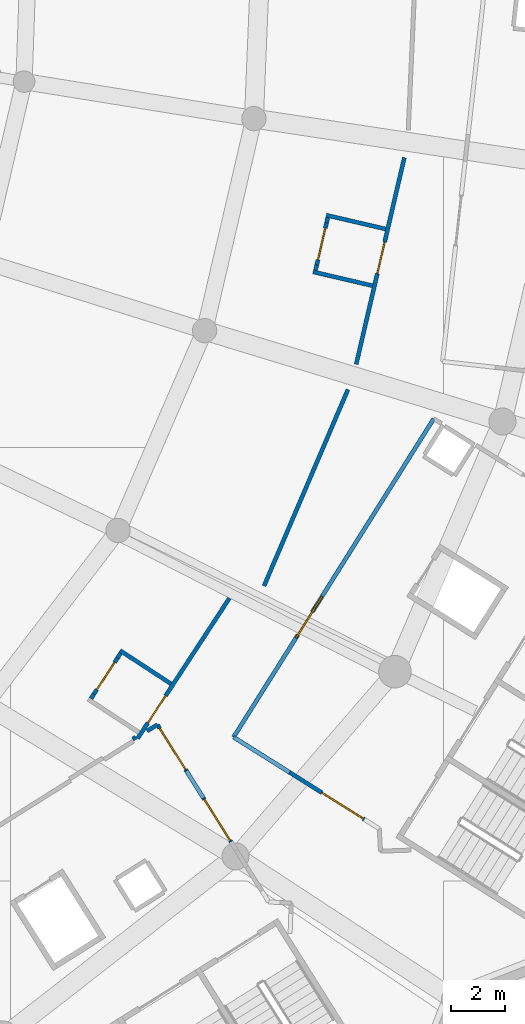
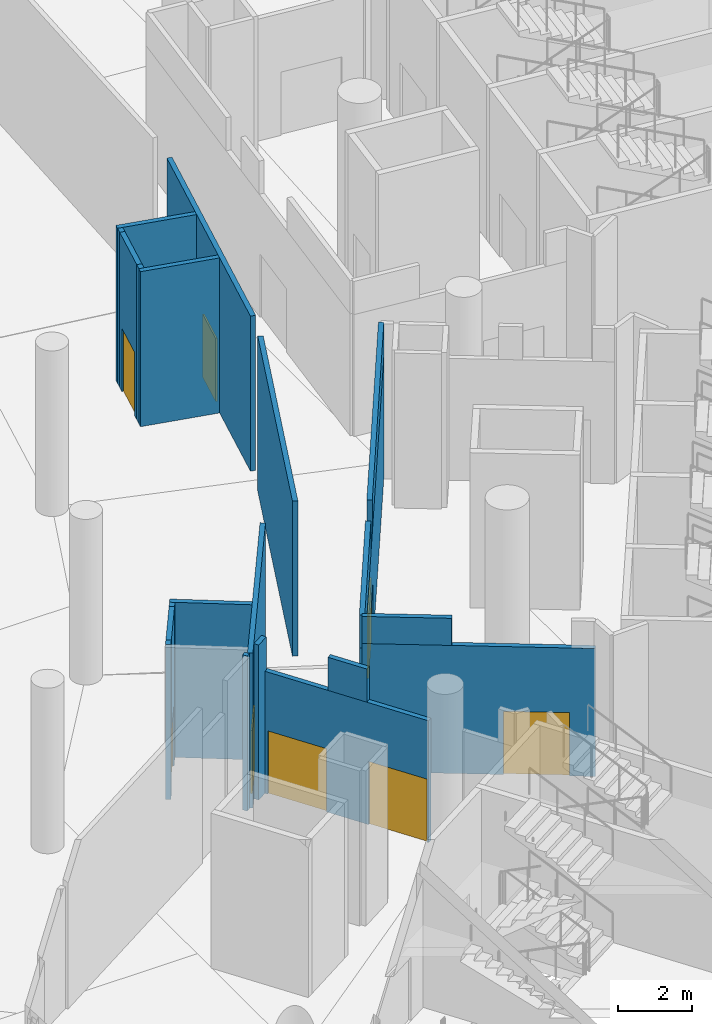
# One storey, part 174 of 271: 21 walls, 8 doors, 8 openings.
"""IFC4 building model written with IfcOpenShell, lengths in metres."""

from ifc_helpers import new_model, si_unit, direction, frame, frame_2d, origin, place, context, subcontext, project, spatial, rectangle, extrude, material, layer, layer_set, type_object, element, fill, save


model = new_model("IFC4")

# Units and contexts
model_context = context("Model", 3, precision=1e-05, world=origin(), true_north=direction((0.0, 1.0)))
body_context = subcontext(model_context, "Body", "Model", "MODEL_VIEW")
ifc_project = project(units=[si_unit("LENGTHUNIT", "METRE"), si_unit("AREAUNIT", "SQUARE_METRE"), si_unit("VOLUMEUNIT", "CUBIC_METRE"), si_unit("PLANEANGLEUNIT", "RADIAN"), si_unit("MASSUNIT", "GRAM", prefix="KILO")], contexts=[model_context])

# Site, building, storey
site_placement = place(None, origin())
site = spatial("IfcSite", under=ifc_project, at=site_placement, CompositionType="ELEMENT")
building_placement = place(site_placement, origin())
building = spatial("IfcBuilding", under=site, at=building_placement, Name="Meseta Stadium", CompositionType="ELEMENT")
storey_placement = place(building_placement, frame((0.0, 0.0, 6.5)))
storey = spatial("IfcBuildingStorey", under=building, at=storey_placement, Name="L01", CompositionType="ELEMENT", Elevation=6.5)

# Wall, opening, door
ifc_material_1 = material(Name="Masonry blockwork", Category="masonry")
ifc_layer = layer(ifc_material_1, 0.14990234375)
ifc_layer_set = layer_set([ifc_layer], Name="Partition 150")
wall_type = type_object("IfcWallType", Name="Partition 150", PredefinedType="PARTITIONING", material=ifc_layer_set)
wall_1_placement = place(storey_placement, frame((72.085205078125, -69.559326171875, 0.0), z_axis=(0.0, 0.0, 1.0), x_axis=(-0.547328054804, -0.836918156348, 0.0)))
wall_1 = element("IfcWall", 1, at=wall_1_placement, inside=storey, type_object=wall_type, Name="Partition L01 L01-cell26-0-0", PredefinedType="PARTITIONING", context=body_context, shape_type="SweptSolid", body=[
    extrude(rectangle(XDim=6.185546875, YDim=0.14990234375, at=frame_2d((3.0927734375, 0.0))), origin(), (0.0, 0.0, 1.0), 5.14990234375),
])
opening_1_placement = place(wall_1_placement, frame((4.300048828125, 0.0, 0.0)))
opening_1 = element("IfcOpeningElement", 2, at=opening_1_placement, cuts=wall_1, Name="Opening D677", PredefinedType="OPENING", context=body_context, shape_type="SweptSolid", body=[
    extrude(rectangle(XDim=1.199951171875, YDim=2.10009765625, at=frame_2d((0.60009765625, 1.050048828125))), frame((0.0, 0.0849609375, 0.0), z_axis=(0.0, -1.0, 0.0), x_axis=(1.0, 0.0, 0.0)), (0.0, 0.0, 1.0), 0.169921875),
])
ifc_material_2 = material(Name="Steel", Category="steel")
door_type_1 = type_object("IfcDoorType", Name="Fire door 1200x2100 EI2 60", OperationType="NOTDEFINED", PredefinedType="DOOR", material=ifc_material_2)
door_1_placement = place(opening_1_placement, origin())
door_1 = element("IfcDoor", 3, at=door_1_placement, inside=storey, type_object=door_type_1, Name="Door D677", OperationType="SINGLE_SWING_RIGHT", OverallHeight=2.10009765625, OverallWidth=1.199951171875, PredefinedType="DOOR", context=body_context, shape_type="SweptSolid", body=[
    extrude(rectangle(XDim=1.199951171875, YDim=2.10009765625, at=frame_2d((0.60009765625, 1.050048828125))), frame((0.0, 0.02490234375, 0.0), z_axis=(0.0, -1.0, 0.0), x_axis=(1.0, 0.0, 0.0)), (0.0, 0.0, 1.0), 0.050048828125),
])
fill(opening_1, door_1)

wall_2_placement = place(storey_placement, frame((78.54638671875, -53.287353515625, 0.0), z_axis=(0.0, 0.0, 1.0), x_axis=(-0.226958808722, -0.973904358314, 0.0)))
wall_2 = element("IfcWall", 4, at=wall_2_placement, inside=storey, type_object=wall_type, Name="Partition L01 L01-cell27-0-0", PredefinedType="PARTITIONING", context=body_context, shape_type="SweptSolid", body=[
    extrude(rectangle(XDim=7.837646484375, YDim=0.14990234375, at=frame_2d((3.9189453125, 0.0))), origin(), (0.0, 0.0, 1.0), 5.14990234375),
])
opening_2_placement = place(wall_2_placement, frame((3.199951171875, 0.0, 0.0)))
opening_2 = element("IfcOpeningElement", 5, at=opening_2_placement, cuts=wall_2, Name="Opening D678", PredefinedType="OPENING", context=body_context, shape_type="SweptSolid", body=[
    extrude(rectangle(XDim=1.199951171875, YDim=2.10009765625, at=frame_2d((0.60009765625, 1.050048828125))), frame((0.0, 0.0849609375, 0.0), z_axis=(0.0, -1.0, 0.0), x_axis=(1.0, 0.0, 0.0)), (0.0, 0.0, 1.0), 0.169921875),
])
door_2_placement = place(opening_2_placement, origin())
door_2 = element("IfcDoor", 6, at=door_2_placement, inside=storey, type_object=door_type_1, Name="Door D678", OperationType="SINGLE_SWING_LEFT", OverallHeight=2.10009765625, OverallWidth=1.199951171875, PredefinedType="DOOR", context=body_context, shape_type="SweptSolid", body=[
    extrude(rectangle(XDim=1.199951171875, YDim=2.10009765625, at=frame_2d((0.60009765625, 1.050048828125))), frame((0.0, 0.02490234375, 0.0), z_axis=(0.0, -1.0, 0.0), x_axis=(1.0, 0.0, 0.0)), (0.0, 0.0, 1.0), 0.050048828125),
])
fill(opening_2, door_2)

# Walls
wall_3_placement = place(storey_placement, frame((76.462890625, -61.850830078125, 0.0), z_axis=(0.0, 0.0, 1.0), x_axis=(-0.39271238508, -0.919661341258, 0.0)))
element("IfcWall", 7, at=wall_3_placement, inside=storey, type_object=wall_type, Name="Partition L01 L01-cell27-0-0", PredefinedType="PARTITIONING", context=body_context, shape_type="SweptSolid", body=[
    extrude(rectangle(XDim=7.887939453125, YDim=0.14990234375, at=frame_2d((3.94384765625, 0.0))), origin(), (0.0, 0.0, 1.0), 5.14990234375),
])
wall_4_placement = place(storey_placement, frame((68.632568359375, -74.689697265625, 0.0), z_axis=(0.0, 0.0, 1.0), x_axis=(-0.846796817222, -0.531916488129, 0.0)))
element("IfcWall", 8, at=wall_4_placement, inside=storey, type_object=wall_type, Name="Stair vestibule wall L01 core 27", PredefinedType="PARTITIONING", context=body_context, shape_type="SweptSolid", body=[
    extrude(rectangle(XDim=0.13720703125, YDim=0.14990234375, at=frame_2d((0.068603515625, 0.0))), origin(), (0.0, 0.0, 1.0), 5.14990234375),
])

# Wall, openings, doors
wall_5_placement = place(storey_placement, frame((72.142822265625, -78.55224609375, 0.0), z_axis=(0.0, 0.0, 1.0), x_axis=(-0.532063867314, 0.846704222913, 0.0)))
wall_5 = element("IfcWall", 9, at=wall_5_placement, inside=storey, type_object=wall_type, Name="Stair vestibule wall L01 core 27", PredefinedType="PARTITIONING", context=body_context, shape_type="SweptSolid", body=[
    extrude(rectangle(XDim=5.10791015625, YDim=0.14990234375, at=frame_2d((2.553955078125, 0.0))), origin(), (0.0, 0.0, 1.0), 4.050048828125),
])
opening_3_placement = place(wall_5_placement, frame((3.14990234375, 0.0, 0.0)))
opening_3 = element("IfcOpeningElement", 10, at=opening_3_placement, cuts=wall_5, Name="Opening D809", PredefinedType="OPENING", context=body_context, shape_type="SweptSolid", body=[
    extrude(rectangle(XDim=1.800048828125, YDim=2.10009765625, at=frame_2d((0.89990234375, 1.050048828125))), frame((0.0, 0.0849609375, 0.0), z_axis=(0.0, -1.0, 0.0), x_axis=(1.0, 0.0, 0.0)), (0.0, 0.0, 1.0), 0.169921875),
])
opening_4_placement = place(wall_5_placement, frame((0.050048828125, 0.0, 0.0)))
opening_4 = element("IfcOpeningElement", 11, at=opening_4_placement, cuts=wall_5, Name="Opening D810", PredefinedType="OPENING", context=body_context, shape_type="SweptSolid", body=[
    extrude(rectangle(XDim=1.800048828125, YDim=2.10009765625, at=frame_2d((0.89990234375, 1.050048828125))), frame((0.0, 0.0849609375, 0.0), z_axis=(0.0, -1.0, 0.0), x_axis=(1.0, 0.0, 0.0)), (0.0, 0.0, 1.0), 0.169921875),
])
ifc_material_3 = material(Name="Steel", Category="steel")
door_type_2 = type_object("IfcDoorType", Name="Fire double door 1800x2100 EI2 60", OperationType="DOUBLE_DOOR_SINGLE_SWING", PredefinedType="DOOR", material=ifc_material_3)
door_3_placement = place(opening_3_placement, origin())
door_3 = element("IfcDoor", 12, at=door_3_placement, inside=storey, type_object=door_type_2, Name="Stair vestibule door L01 core 27", OperationType="DOUBLE_DOOR_SINGLE_SWING", OverallHeight=2.10009765625, OverallWidth=1.800048828125, PredefinedType="DOOR", context=body_context, shape_type="SweptSolid", body=[
    extrude(rectangle(XDim=1.800048828125, YDim=2.10009765625, at=frame_2d((0.89990234375, 1.050048828125))), frame((0.0, 0.02490234375, 0.0), z_axis=(0.0, -1.0, 0.0), x_axis=(1.0, 0.0, 0.0)), (0.0, 0.0, 1.0), 0.050048828125),
])
fill(opening_3, door_3)
door_4_placement = place(opening_4_placement, origin())
door_4 = element("IfcDoor", 13, at=door_4_placement, inside=storey, type_object=door_type_2, Name="Stair vestibule door L01 core 27", OperationType="DOUBLE_DOOR_SINGLE_SWING", OverallHeight=2.10009765625, OverallWidth=1.800048828125, PredefinedType="DOOR", context=body_context, shape_type="SweptSolid", body=[
    extrude(rectangle(XDim=1.800048828125, YDim=2.10009765625, at=frame_2d((0.89990234375, 1.050048828125))), frame((0.0, 0.02490234375, 0.0), z_axis=(0.0, -1.0, 0.0), x_axis=(1.0, 0.0, 0.0)), (0.0, 0.0, 1.0), 0.050048828125),
])
fill(opening_4, door_4)

# Walls
wall_6_placement = place(storey_placement, frame((71.1318359375, -76.943603515625, 4.050048828125), z_axis=(0.0, 0.0, 1.0), x_axis=(-0.5320090412, 0.846738672839, 0.0)))
element("IfcWall", 14, at=wall_6_placement, inside=storey, type_object=wall_type, Name="Stair vestibule wall L01 core 27", PredefinedType="PARTITIONING", context=body_context, shape_type="SweptSolid", body=[
    extrude(rectangle(XDim=1.199951171875, YDim=0.14990234375, at=frame_2d((0.60009765625, 0.0))), origin(), (0.0, 0.0, 1.0), 1.099853515625),
])
wall_7_placement = place(storey_placement, frame((69.425048828125, -74.227294921875, 0.0), z_axis=(0.0, 0.0, 1.0), x_axis=(-0.846757169089, -0.531979601674, 0.0)))
element("IfcWall", 15, at=wall_7_placement, inside=storey, type_object=wall_type, Name="Stair vestibule wall L01 core 27", PredefinedType="PARTITIONING", context=body_context, shape_type="SweptSolid", body=[
    extrude(rectangle(XDim=0.44287109375, YDim=0.14990234375, at=frame_2d((0.221435546875, 0.0))), origin(), (0.0, 0.0, 1.0), 5.14990234375),
])

# Wall, opening, door
wall_8_placement = place(storey_placement, frame((79.630859375, -62.929443359375, 0.0), z_axis=(0.0, 0.0, 1.0), x_axis=(-0.532030790124, -0.84672500752, 0.0)))
wall_8 = element("IfcWall", 16, at=wall_8_placement, inside=storey, type_object=wall_type, Name="Stair vestibule wall L01 core 28", PredefinedType="PARTITIONING", context=body_context, shape_type="SweptSolid", body=[
    extrude(rectangle(XDim=13.889892578125, YDim=0.14990234375, at=frame_2d((6.94482421875, 0.0))), origin(), (0.0, 0.0, 1.0), 4.050048828125),
])
opening_5_placement = place(wall_8_placement, frame((7.75, 0.0, 0.0)))
opening_5 = element("IfcOpeningElement", 17, at=opening_5_placement, cuts=wall_8, Name="Opening D811", PredefinedType="OPENING", context=body_context, shape_type="SweptSolid", body=[
    extrude(rectangle(XDim=1.800048828125, YDim=2.10009765625, at=frame_2d((0.89990234375, 1.050048828125))), frame((0.0, 0.0849609375, 0.0), z_axis=(0.0, -1.0, 0.0), x_axis=(1.0, 0.0, 0.0)), (0.0, 0.0, 1.0), 0.169921875),
])
door_5_placement = place(opening_5_placement, origin())
door_5 = element("IfcDoor", 18, at=door_5_placement, inside=storey, type_object=door_type_2, Name="Stair vestibule door L01 core 28", OperationType="DOUBLE_DOOR_SINGLE_SWING", OverallHeight=2.10009765625, OverallWidth=1.800048828125, PredefinedType="DOOR", context=body_context, shape_type="SweptSolid", body=[
    extrude(rectangle(XDim=1.800048828125, YDim=2.10009765625, at=frame_2d((0.89990234375, 1.050048828125))), frame((0.0, 0.02490234375, 0.0), z_axis=(0.0, -1.0, 0.0), x_axis=(1.0, 0.0, 0.0)), (0.0, 0.0, 1.0), 0.050048828125),
])
fill(opening_5, door_5)

# Walls
wall_9_placement = place(storey_placement, frame((79.630859375, -62.929443359375, 4.050048828125), z_axis=(0.0, 0.0, 1.0), x_axis=(-0.53201679112, -0.846733803486, 0.0)))
element("IfcWall", 19, at=wall_9_placement, inside=storey, type_object=wall_type, Name="Stair vestibule wall L01 core 28", PredefinedType="PARTITIONING", context=body_context, shape_type="SweptSolid", body=[
    extrude(rectangle(XDim=8.43310546875, YDim=0.14990234375, at=frame_2d((4.216552734375, 0.0))), origin(), (0.0, 0.0, 1.0), 1.099853515625),
])
wall_10_placement = place(storey_placement, frame((74.6162109375, -70.91015625, 4.050048828125), z_axis=(0.0, 0.0, 1.0), x_axis=(-0.532022587331, -0.846730161604, 0.0)))
element("IfcWall", 20, at=wall_10_placement, inside=storey, type_object=wall_type, Name="Stair vestibule wall L01 core 28", PredefinedType="PARTITIONING", context=body_context, shape_type="SweptSolid", body=[
    extrude(rectangle(XDim=4.464599609375, YDim=0.14990234375, at=frame_2d((2.232421875, 0.0))), origin(), (0.0, 0.0, 1.0), 1.099853515625),
])

# Wall, opening, door
wall_11_placement = place(storey_placement, frame((72.240966796875, -74.6904296875, 0.0), z_axis=(0.0, 0.0, 1.0), x_axis=(0.846702819814, -0.53206610014, 0.0)))
wall_11 = element("IfcWall", 21, at=wall_11_placement, inside=storey, type_object=wall_type, Name="Stair vestibule wall L01 core 28", PredefinedType="PARTITIONING", context=body_context, shape_type="SweptSolid", body=[
    extrude(rectangle(XDim=6.354248046875, YDim=0.14990234375, at=frame_2d((3.17724609375, 0.0))), origin(), (0.0, 0.0, 1.0), 4.25),
])
opening_6_placement = place(wall_11_placement, frame((3.85009765625, 0.0, 0.0)))
opening_6 = element("IfcOpeningElement", 22, at=opening_6_placement, cuts=wall_11, Name="Opening D813", PredefinedType="OPENING", context=body_context, shape_type="SweptSolid", body=[
    extrude(rectangle(XDim=1.800048828125, YDim=2.10009765625, at=frame_2d((0.89990234375, 1.050048828125))), frame((0.0, 0.0849609375, 0.0), z_axis=(0.0, -1.0, 0.0), x_axis=(1.0, 0.0, 0.0)), (0.0, 0.0, 1.0), 0.169921875),
])
door_6_placement = place(opening_6_placement, origin())
door_6 = element("IfcDoor", 23, at=door_6_placement, inside=storey, type_object=door_type_2, Name="Stair vestibule door L01 core 28", OperationType="DOUBLE_DOOR_SINGLE_SWING", OverallHeight=2.10009765625, OverallWidth=1.800048828125, PredefinedType="DOOR", context=body_context, shape_type="SweptSolid", body=[
    extrude(rectangle(XDim=1.800048828125, YDim=2.10009765625, at=frame_2d((0.89990234375, 1.050048828125))), frame((0.0, 0.02490234375, 0.0), z_axis=(0.0, -1.0, 0.0), x_axis=(1.0, 0.0, 0.0)), (0.0, 0.0, 1.0), 0.050048828125),
])
fill(opening_6, door_6)

# Walls
wall_12_placement = place(storey_placement, frame((72.240966796875, -74.6904296875, 4.25), z_axis=(0.0, 0.0, 1.0), x_axis=(0.84671626925, -0.532044696794, 0.0)))
element("IfcWall", 24, at=wall_12_placement, inside=storey, type_object=wall_type, Name="Stair vestibule wall L01 core 28", PredefinedType="PARTITIONING", context=body_context, shape_type="SweptSolid", body=[
    extrude(rectangle(XDim=2.44384765625, YDim=0.14990234375, at=frame_2d((1.221923828125, 0.0))), origin(), (0.0, 0.0, 1.0), 0.89990234375),
])
wall_13_placement = place(storey_placement, frame((69.928955078125, -72.719482421875, 0.0), z_axis=(0.0, 0.0, 1.0), x_axis=(-0.836925645674, 0.54731660272, 0.0)))
element("IfcWall", 25, at=wall_13_placement, inside=storey, type_object=wall_type, Name="Partition L01 L01-cell26-0-0 vestibule", PredefinedType="PARTITIONING", context=body_context, shape_type="SweptSolid", body=[
    extrude(rectangle(XDim=2.25, YDim=0.14990234375, at=frame_2d((1.125, 0.0))), origin(), (0.0, 0.0, 1.0), 5.14990234375),
])
wall_14_placement = place(storey_placement, frame((68.067626953125, -71.591796875, 0.0), z_axis=(0.0, 0.0, 1.0), x_axis=(-0.546788900939, -0.837270504562, 0.0)))
element("IfcWall", 26, at=wall_14_placement, inside=storey, type_object=wall_type, Name="Partition L01 L01-cell26-0-0 vestibule", PredefinedType="PARTITIONING", context=body_context, shape_type="SweptSolid", body=[
    extrude(rectangle(XDim=0.199951171875, YDim=0.14990234375, at=frame_2d((0.10009765625, 0.0))), origin(), (0.0, 0.0, 1.0), 5.14990234375),
])

# Wall, opening, door
wall_15_placement = place(storey_placement, frame((67.958251953125, -71.75927734375, 0.0), z_axis=(0.0, 0.0, 1.0), x_axis=(-0.547319249347, -0.836923914878, 0.0)))
wall_15 = element("IfcWall", 27, at=wall_15_placement, inside=storey, type_object=wall_type, Name="Partition L01 L01-cell26-0-0 vestibule", PredefinedType="PARTITIONING", context=body_context, shape_type="SweptSolid", body=[
    extrude(rectangle(XDim=1.60009765625, YDim=0.14990234375, at=frame_2d((0.800048828125, 0.0))), origin(), (0.0, 0.0, 1.0), 5.14990234375),
])
opening_7_placement = place(wall_15_placement, frame((0.199951171875, 0.0, 0.0)))
opening_7 = element("IfcOpeningElement", 28, at=opening_7_placement, cuts=wall_15, Name="Opening D919", PredefinedType="OPENING", context=body_context, shape_type="SweptSolid", body=[
    extrude(rectangle(XDim=1.199951171875, YDim=2.10009765625, at=frame_2d((0.60009765625, 1.050048828125))), frame((0.0, 0.0849609375, 0.0), z_axis=(0.0, -1.0, 0.0), x_axis=(1.0, 0.0, 0.0)), (0.0, 0.0, 1.0), 0.169921875),
])
door_7_placement = place(opening_7_placement, origin())
door_7 = element("IfcDoor", 29, at=door_7_placement, inside=storey, type_object=door_type_1, Name="Vestibule door L01 L01-cell26-0-0", OperationType="SINGLE_SWING_LEFT", OverallHeight=2.10009765625, OverallWidth=1.199951171875, PredefinedType="DOOR", context=body_context, shape_type="SweptSolid", body=[
    extrude(rectangle(XDim=1.199951171875, YDim=2.10009765625, at=frame_2d((0.60009765625, 1.050048828125))), frame((0.0, 0.02490234375, 0.0), z_axis=(0.0, -1.0, 0.0), x_axis=(1.0, 0.0, 0.0)), (0.0, 0.0, 1.0), 0.050048828125),
])
fill(opening_7, door_7)

# Walls
wall_16_placement = place(storey_placement, frame((67.08251953125, -73.098388671875, 0.0), z_axis=(0.0, 0.0, 1.0), x_axis=(-0.548202987106, -0.836345314405, 0.0)))
element("IfcWall", 30, at=wall_16_placement, inside=storey, type_object=wall_type, Name="Partition L01 L01-cell26-0-0 vestibule", PredefinedType="PARTITIONING", context=body_context, shape_type="SweptSolid", body=[
    extrude(rectangle(XDim=0.199951171875, YDim=0.14990234375, at=frame_2d((0.10009765625, 0.0))), origin(), (0.0, 0.0, 1.0), 5.14990234375),
])
for number, where, z_axis, x_axis, name in (
    (31, (77.85498046875, -55.92431640625, 0.0), (0.0, 0.0, 1.0), (-0.973893210411, 0.227006640243, 0.0), "Partition L01 L01-cell27-0-0 vestibule"),
    (32, (77.366943359375, -58.01806640625, 0.0), (0.0, 0.0, 1.0), (-0.973893210411, 0.227006640243, 0.0), "Partition L01 L01-cell27-0-0 vestibule"),
):
    element("IfcWall", number, at=place(storey_placement, frame(where, z_axis=z_axis, x_axis=x_axis)), inside=storey, type_object=wall_type, Name=name, PredefinedType="PARTITIONING", context=body_context, shape_type="SweptSolid", body=[
        extrude(rectangle(XDim=2.25, YDim=0.14990234375, at=frame_2d((1.125, 0.0))), origin(), (0.0, 0.0, 1.0), 5.14990234375),
    ])
wall_17_placement = place(storey_placement, frame((75.7197265625, -55.50341796875, 0.0), z_axis=(0.0, 0.0, 1.0), x_axis=(-0.226998128041, -0.973895194498, 0.0)))
element("IfcWall", 33, at=wall_17_placement, inside=storey, type_object=wall_type, Name="Partition L01 L01-cell27-0-0 vestibule", PredefinedType="PARTITIONING", context=body_context, shape_type="SweptSolid", body=[
    extrude(rectangle(XDim=0.199951171875, YDim=0.14990234375, at=frame_2d((0.10009765625, 0.0))), origin(), (0.0, 0.0, 1.0), 5.14990234375),
])

# Wall, opening, door
wall_18_placement = place(storey_placement, frame((75.67431640625, -55.6982421875, 0.0), z_axis=(0.0, 0.0, 1.0), x_axis=(-0.226887139624, -0.973921057311, 0.0)))
wall_18 = element("IfcWall", 34, at=wall_18_placement, inside=storey, type_object=wall_type, Name="Partition L01 L01-cell27-0-0 vestibule", PredefinedType="PARTITIONING", context=body_context, shape_type="SweptSolid", body=[
    extrude(rectangle(XDim=1.60009765625, YDim=0.14990234375, at=frame_2d((0.800048828125, 0.0))), origin(), (0.0, 0.0, 1.0), 5.14990234375),
])
opening_8_placement = place(wall_18_placement, frame((0.199951171875, 0.0, 0.0)))
opening_8 = element("IfcOpeningElement", 35, at=opening_8_placement, cuts=wall_18, Name="Opening D920", PredefinedType="OPENING", context=body_context, shape_type="SweptSolid", body=[
    extrude(rectangle(XDim=1.199951171875, YDim=2.10009765625, at=frame_2d((0.60009765625, 1.050048828125))), frame((0.0, 0.0849609375, 0.0), z_axis=(0.0, -1.0, 0.0), x_axis=(1.0, 0.0, 0.0)), (0.0, 0.0, 1.0), 0.169921875),
])
door_8_placement = place(opening_8_placement, origin())
door_8 = element("IfcDoor", 36, at=door_8_placement, inside=storey, type_object=door_type_1, Name="Vestibule door L01 L01-cell27-0-0", OperationType="SINGLE_SWING_LEFT", OverallHeight=2.10009765625, OverallWidth=1.199951171875, PredefinedType="DOOR", context=body_context, shape_type="SweptSolid", body=[
    extrude(rectangle(XDim=1.199951171875, YDim=2.10009765625, at=frame_2d((0.60009765625, 1.050048828125))), frame((0.0, 0.02490234375, 0.0), z_axis=(0.0, -1.0, 0.0), x_axis=(1.0, 0.0, 0.0)), (0.0, 0.0, 1.0), 0.050048828125),
])
fill(opening_8, door_8)

# Wall
wall_19_placement = place(storey_placement, frame((75.311279296875, -57.256591796875, 0.0), z_axis=(0.0, 0.0, 1.0), x_axis=(-0.226998128041, -0.973895194498, 0.0)))
element("IfcWall", 37, at=wall_19_placement, inside=storey, type_object=wall_type, Name="Partition L01 L01-cell27-0-0 vestibule", PredefinedType="PARTITIONING", context=body_context, shape_type="SweptSolid", body=[
    extrude(rectangle(XDim=0.199951171875, YDim=0.14990234375, at=frame_2d((0.10009765625, 0.0))), origin(), (0.0, 0.0, 1.0), 5.14990234375),
])

save(model, "model.ifc")
